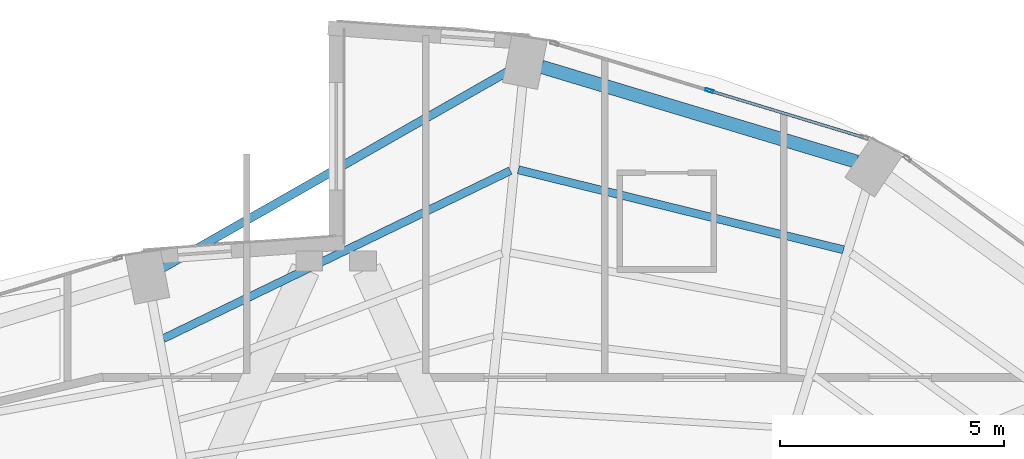
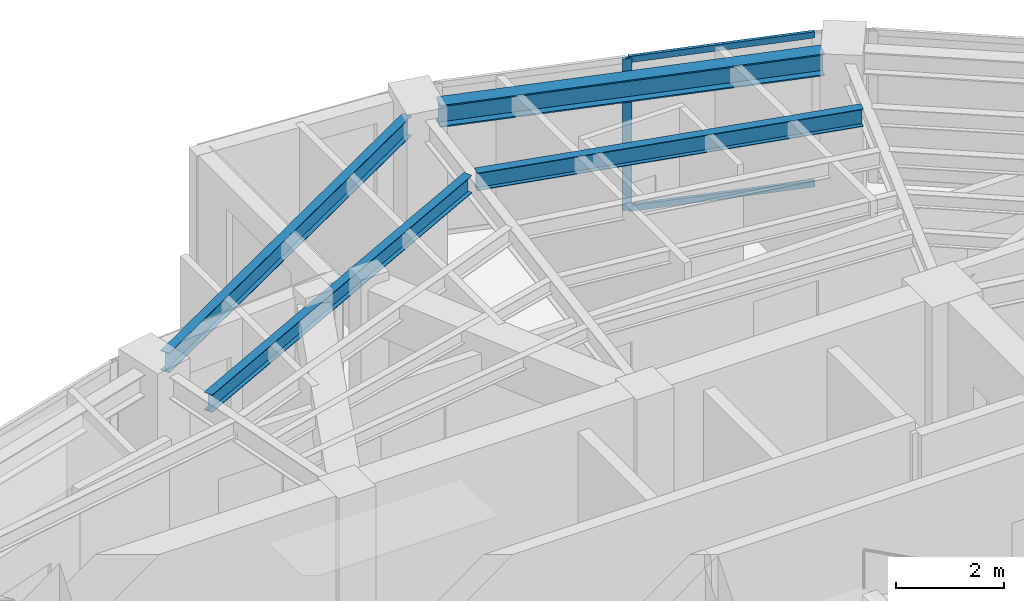
# One storey, part 16 of 23: 4 beams, 3 members, 1 element without a shape of its own.
"""IFC4 building model written with IfcOpenShell, lengths in metres."""

from ifc_helpers import new_model, si_unit, direction, frame, origin, origin_2d, place, context, subcontext, project, spatial, hollow_rectangle, i_section, extrude, material, layer, layer_set, material_profile, profile_set, type_object, element, aggregate, save


model = new_model("IFC4")

# Units and contexts
model_context = context("Model", 3, precision=1e-05, world=origin(), true_north=direction((0.0, 1.0)))
body_context = subcontext(model_context, "Body", "Model", "MODEL_VIEW")
ifc_project = project(units=[si_unit("LENGTHUNIT", "METRE"), si_unit("AREAUNIT", "SQUARE_METRE"), si_unit("VOLUMEUNIT", "CUBIC_METRE"), si_unit("PLANEANGLEUNIT", "RADIAN"), si_unit("MASSUNIT", "GRAM", prefix="KILO")], contexts=[model_context])

# Site, building, storey
site_placement = place(None, origin())
site = spatial("IfcSite", under=ifc_project, at=site_placement, CompositionType="ELEMENT")
building_placement = place(site_placement, origin())
building = spatial("IfcBuilding", under=site, at=building_placement, Name="Lazwardi Medical Tower", CompositionType="ELEMENT")
storey_placement = place(building_placement, frame((0.0, 0.0, 194.83203125)))
storey = spatial("IfcBuildingStorey", under=building, at=storey_placement, Name="L50", CompositionType="ELEMENT", Elevation=194.83203125)

# Beams
ifc_material_1 = material(Name="Steel S355", Category="steel")
ifc_material_profile_1 = material_profile(ifc_material_1, i_section(OverallWidth=0.300048828125, OverallDepth=0.5, WebThickness=0.014404296875, FlangeThickness=0.028076171875, at=origin_2d()), Name="HEB 500")
ifc_profile_set_1 = profile_set([ifc_material_profile_1], Name="Steel S355")
beam_type_1 = type_object("IfcBeamType", Name="BM-RB-Z4", PredefinedType="BEAM", material=ifc_profile_set_1)
beam_1_placement = place(storey_placement, frame((47.626953125, 43.56640625, 3.197998046875), z_axis=(-0.957544311906, 0.288286126506, 0.0), x_axis=(-0.288286126506, -0.957544311906, 0.0)))
element("IfcBeam", 1, at=beam_1_placement, inside=storey, type_object=beam_type_1, Name="Ring beam RB-05 B07 L50", PredefinedType="BEAM", context=body_context, shape_type="SweptSolid", body=[
    extrude(i_section(OverallWidth=0.300048828125, OverallDepth=0.5, WebThickness=0.014404296875, FlangeThickness=0.028076171875, at=origin_2d()), origin(), (0.0, 0.0, 1.0), 7.3515625),
])
ifc_material_profile_2 = material_profile(ifc_material_1, i_section(OverallWidth=0.179931640625, OverallDepth=0.39990234375, WebThickness=0.008544921875, FlangeThickness=0.013427734375, at=origin_2d()), Name="IPE 400")
ifc_profile_set_2 = profile_set([ifc_material_profile_2], Name="Steel S355")
beam_type_2 = type_object("IfcBeamType", Name="BM-SJ-01", PredefinedType="JOIST", material=ifc_profile_set_2)
beam_2_placement = place(storey_placement, frame((47.334228515625, 41.59912109375, 3.248046875), z_axis=(-0.971041669317, 0.238910184904, 0.0), x_axis=(-0.238910184904, -0.971041669317, 0.0)))
element("IfcBeam", 2, at=beam_2_placement, inside=storey, type_object=beam_type_2, Name="Secondary joist SJ-01 R1 B07 L50", PredefinedType="JOIST", context=body_context, shape_type="SweptSolid", body=[
    extrude(i_section(OverallWidth=0.179931640625, OverallDepth=0.39990234375, WebThickness=0.008544921875, FlangeThickness=0.013427734375, at=origin_2d()), origin(), (0.0, 0.0, 1.0), 7.482421875),
])
beam_3_placement = place(storey_placement, frame((39.89111328125, 43.367919921875, 3.248046875), z_axis=(-0.900068885459, -0.435747635024, 0.0), x_axis=(0.435747635024, -0.900068885459, 0.0)))
element("IfcBeam", 3, at=beam_3_placement, inside=storey, type_object=beam_type_2, Name="Secondary joist SJ-01 R1 B08 L50", PredefinedType="JOIST", context=body_context, shape_type="SweptSolid", body=[
    extrude(i_section(OverallWidth=0.179931640625, OverallDepth=0.39990234375, WebThickness=0.008544921875, FlangeThickness=0.013427734375, at=origin_2d()), origin(), (0.0, 0.0, 1.0), 8.612548828125),
])
ifc_material_profile_3 = material_profile(ifc_material_1, i_section(OverallWidth=0.18994140625, OverallDepth=0.449951171875, WebThickness=0.009521484375, FlangeThickness=0.0146484375, at=origin_2d()), Name="IPE 450")
ifc_profile_set_3 = profile_set([ifc_material_profile_3], Name="Steel S355")
beam_type_3 = type_object("IfcBeamType", Name="BM-SP-01", PredefinedType="SPANDREL", material=ifc_profile_set_3)
beam_4_placement = place(storey_placement, frame((39.875, 45.605224609375, 3.222900390625), z_axis=(-0.868954808466, -0.494891443494, 0.0), x_axis=(0.494891443494, -0.868954808466, 0.0)))
element("IfcBeam", 4, at=beam_4_placement, inside=storey, type_object=beam_type_3, Name="Spandrel beam SP-01 B08 L50", PredefinedType="SPANDREL", context=body_context, shape_type="SweptSolid", body=[
    extrude(i_section(OverallWidth=0.18994140625, OverallDepth=0.449951171875, WebThickness=0.009521484375, FlangeThickness=0.0146484375, at=origin_2d()), origin(), (0.0, 0.0, 1.0), 8.918701171875),
])

# Curtain wall, members
ifc_material_2 = material(Name="Anodised bronze aluminium and solar control glazing", Category="aluminium")
ifc_layer = layer(ifc_material_2, 0.18994140625)
ifc_layer_set = layer_set([ifc_layer], Name="Anodised bronze aluminium and solar control glazing")
curtain_wall_type = type_object("IfcCurtainWallType", Name="CW-SYS-04", PredefinedType="NOTDEFINED", material=ifc_layer_set)
curtain_wall_placement = place(storey_placement, origin())
curtain_wall = element("IfcCurtainWall", 5, at=curtain_wall_placement, inside=storey, type_object=curtain_wall_type, Name="L50 Unitised bronze curtain wall CW-04", PredefinedType="NOTDEFINED")
ifc_material_3 = material(Name="Anodised bronze aluminium", Category="aluminium")
ifc_material_profile_4 = material_profile(ifc_material_3, hollow_rectangle(XDim=0.06494140625, YDim=0.179931640625, WallThickness=0.00390625, at=origin_2d()), Name="ALU-MULLION 180x65x4")
ifc_profile_set_4 = profile_set([ifc_material_profile_4], Name="Anodised bronze aluminium")
member_type_1 = type_object("IfcMemberType", Name="CW-MUL-03", PredefinedType="MULLION", material=ifc_profile_set_4)
member_1_placement = place(storey_placement, frame((44.33642578125, 45.1552734375, 0.0), z_axis=(0.0, 0.0, 1.0), x_axis=(-0.290581889515, -0.956850126972, 0.0)))
member_1 = element("IfcMember", 6, at=member_1_placement, type_object=member_type_1, Name="CW-04 mullion 2", PredefinedType="MULLION", context=body_context, shape_type="SweptSolid", body=[
    extrude(hollow_rectangle(XDim=0.06494140625, YDim=0.179931640625, WallThickness=0.00390625, at=origin_2d()), origin(), (0.0, 0.0, 1.0), 3.447998046875),
])
ifc_material_profile_5 = material_profile(ifc_material_3, hollow_rectangle(XDim=0.06494140625, YDim=0.139892578125, WallThickness=0.00341796875, at=origin_2d()), Name="ALU-TRANSOM 140x65x3.5")
ifc_profile_set_5 = profile_set([ifc_material_profile_5], Name="Anodised bronze aluminium")
member_type_2 = type_object("IfcMemberType", Name="CW-TRN-03", PredefinedType="USERDEFINED", material=ifc_profile_set_5)
member_2_placement = place(storey_placement, frame((47.7685546875, 44.113037109375, 0.032470703125), z_axis=(-0.956862505902, 0.290541124109, 0.0), x_axis=(-0.290541124109, -0.956862505902, 0.0)))
member_2 = element("IfcMember", 7, at=member_2_placement, type_object=member_type_2, Name="CW-04 transom 1.1", ObjectType="TRANSOM", PredefinedType="USERDEFINED", context=body_context, shape_type="SweptSolid", body=[
    extrude(hollow_rectangle(XDim=0.06494140625, YDim=0.139892578125, WallThickness=0.00341796875, at=origin_2d()), origin(), (0.0, 0.0, 1.0), 3.554443359375),
])
member_3_placement = place(storey_placement, frame((47.7685546875, 44.113037109375, 3.41552734375), z_axis=(-0.956862505902, 0.290541124109, 0.0), x_axis=(-0.290541124109, -0.956862505902, 0.0)))
member_3 = element("IfcMember", 8, at=member_3_placement, type_object=member_type_2, Name="CW-04 transom 1.2", ObjectType="TRANSOM", PredefinedType="USERDEFINED", context=body_context, shape_type="SweptSolid", body=[
    extrude(hollow_rectangle(XDim=0.06494140625, YDim=0.139892578125, WallThickness=0.00341796875, at=origin_2d()), origin(), (0.0, 0.0, 1.0), 3.554443359375),
])
aggregate(curtain_wall, [member_1, member_2, member_3])

save(model, "model.ifc")
